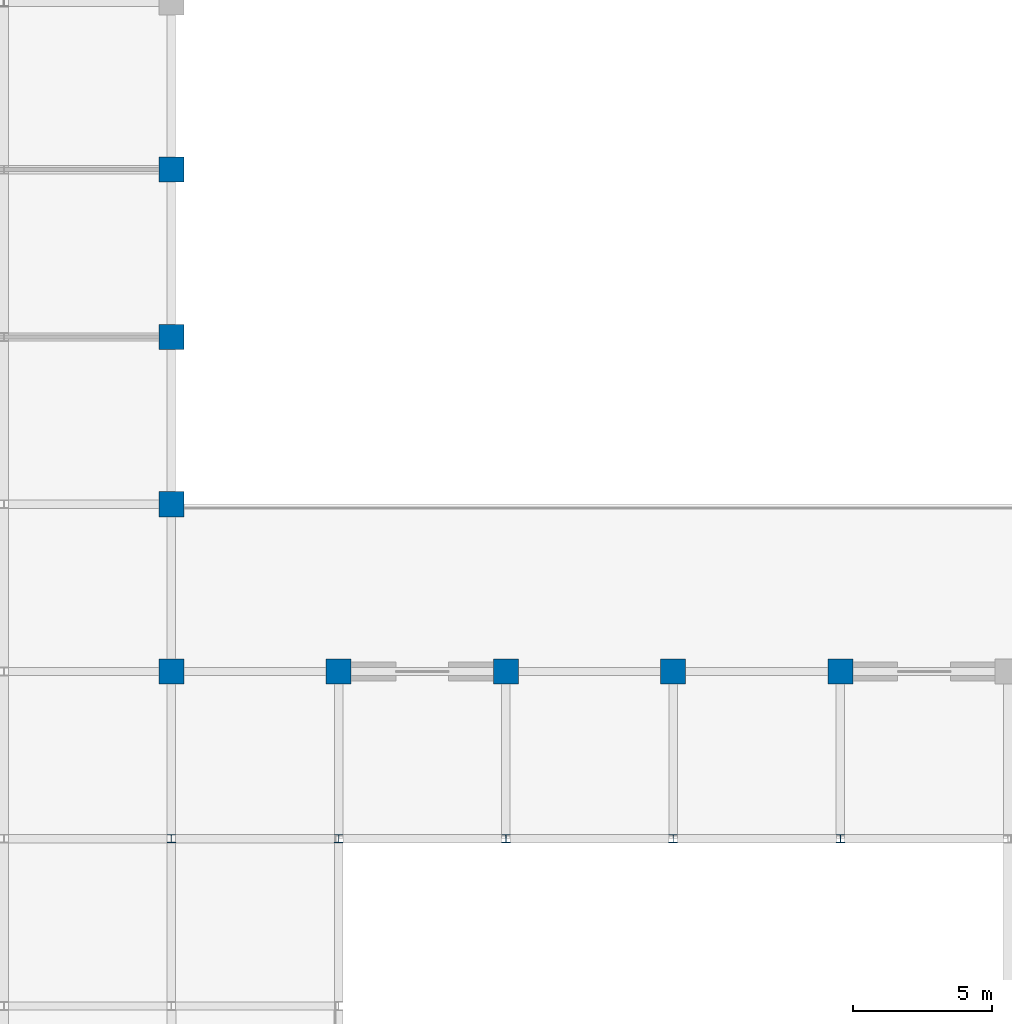
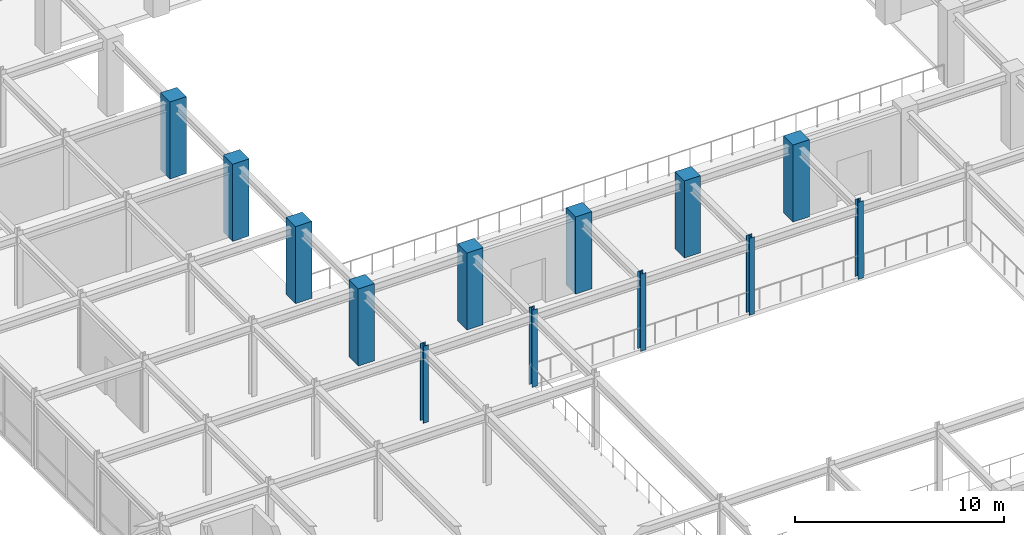
# One storey, part 8 of 108: 13 columns.
"""IFC4 building model written with IfcOpenShell, lengths in metres."""

from ifc_helpers import new_model, si_unit, direction, frame, origin, origin_2d, place, context, subcontext, project, spatial, rectangle, i_section, extrude, material, material_profile, profile_set, type_object, element, save


model = new_model("IFC4")

# Units and contexts
model_context = context("Model", 3, precision=1e-05, world=origin(), true_north=direction((0.0, 1.0)))
body_context = subcontext(model_context, "Body", "Model", "MODEL_VIEW")
ifc_project = project(units=[si_unit("LENGTHUNIT", "METRE"), si_unit("AREAUNIT", "SQUARE_METRE"), si_unit("VOLUMEUNIT", "CUBIC_METRE"), si_unit("PLANEANGLEUNIT", "RADIAN"), si_unit("MASSUNIT", "GRAM", prefix="KILO")], contexts=[model_context])

# Site, building, storey
site_placement = place(None, origin())
site = spatial("IfcSite", under=ifc_project, at=site_placement, CompositionType="ELEMENT")
building_placement = place(site_placement, origin())
building = spatial("IfcBuilding", under=site, at=building_placement, Name="Zlatovratsky Civic Hall", CompositionType="ELEMENT")
storey_placement = place(building_placement, frame((0.0, 0.0, 12.0)))
storey = spatial("IfcBuildingStorey", under=building, at=storey_placement, Name="L03", CompositionType="ELEMENT", Elevation=12.0)

# Columns
ifc_material_1 = material(Name="Concrete C35/45 (B40)", Category="concrete")
ifc_material_profile_1 = material_profile(ifc_material_1, rectangle(XDim=0.89990234375, YDim=0.89990234375, at=origin_2d()), Name="RC 900x900")
ifc_profile_set_1 = profile_set([ifc_material_profile_1], Name="Concrete C35/45 (B40)")
column_type_1 = type_object("IfcColumnType", Name="Col_ChamberPier_RC900", PredefinedType="COLUMN", material=ifc_profile_set_1)
for number, where, z_axis, x_axis, name in (
    (1, (66.0, 42.0, 0.0), (0.0, 0.0, 1.0), (1.0, 0.0, 0.0), "CL-1294"),
    (2, (72.0, 42.0, 0.0), (0.0, 0.0, 1.0), (1.0, 0.0, 0.0), "CL-1295"),
    (3, (78.0, 42.0, 0.0), (0.0, 0.0, 1.0), (1.0, 0.0, 0.0), "CL-1296"),
    (4, (84.0, 42.0, 0.0), (0.0, 0.0, 1.0), (1.0, 0.0, 0.0), "CL-1297"),
    (5, (90.0, 42.0, 0.0), (0.0, 0.0, 1.0), (1.0, 0.0, 0.0), "CL-1298"),
    (6, (66.0, 48.0, 0.0), (0.0, 0.0, 1.0), (1.0, 0.0, 0.0), "CL-1313"),
    (7, (66.0, 54.0, 0.0), (0.0, 0.0, 1.0), (1.0, 0.0, 0.0), "CL-1327"),
    (8, (66.0, 60.0, 0.0), (0.0, 0.0, 1.0), (1.0, 0.0, 0.0), "CL-1341"),
):
    element("IfcColumn", number, at=place(storey_placement, frame(where, z_axis=z_axis, x_axis=x_axis)), inside=storey, type_object=column_type_1, Name=name, PredefinedType="COLUMN", context=body_context, shape_type="SweptSolid", body=[
        extrude(rectangle(XDim=0.89990234375, YDim=0.89990234375, at=origin_2d()), origin(), (0.0, 0.0, 1.0), 4.5),
    ])
ifc_material_2 = material(Name="Steel S355", Category="steel")
ifc_material_profile_2 = material_profile(ifc_material_2, i_section(OverallWidth=0.299072265625, OverallDepth=0.2958984375, WebThickness=0.009033203125, FlangeThickness=0.013916015625, FilletRadius=0.01806640625, at=origin_2d()), Name="30K1")
ifc_profile_set_2 = profile_set([ifc_material_profile_2], Name="Steel S355")
column_type_2 = type_object("IfcColumnType", Name="Col_Steel_30K1", PredefinedType="COLUMN", material=ifc_profile_set_2)
for number, where, z_axis, x_axis, name in (
    (9, (66.0, 36.0, 0.0), (0.0, 0.0, 1.0), (1.0, 0.0, 0.0), "CL-1275"),
    (10, (72.0, 36.0, 0.0), (0.0, 0.0, 1.0), (1.0, 0.0, 0.0), "CL-1276"),
    (11, (78.0, 36.0, 0.0), (0.0, 0.0, 1.0), (1.0, 0.0, 0.0), "CL-1277"),
    (12, (84.0, 36.0, 0.0), (0.0, 0.0, 1.0), (1.0, 0.0, 0.0), "CL-1278"),
    (13, (90.0, 36.0, 0.0), (0.0, 0.0, 1.0), (1.0, 0.0, 0.0), "CL-1279"),
):
    element("IfcColumn", number, at=place(storey_placement, frame(where, z_axis=z_axis, x_axis=x_axis)), inside=storey, type_object=column_type_2, Name=name, PredefinedType="COLUMN", context=body_context, shape_type="SweptSolid", body=[
        extrude(i_section(OverallWidth=0.299072265625, OverallDepth=0.2958984375, WebThickness=0.009033203125, FlangeThickness=0.013916015625, FilletRadius=0.01806640625, at=origin_2d()), origin(), (0.0, 0.0, 1.0), 4.5),
    ])

save(model, "model.ifc")
